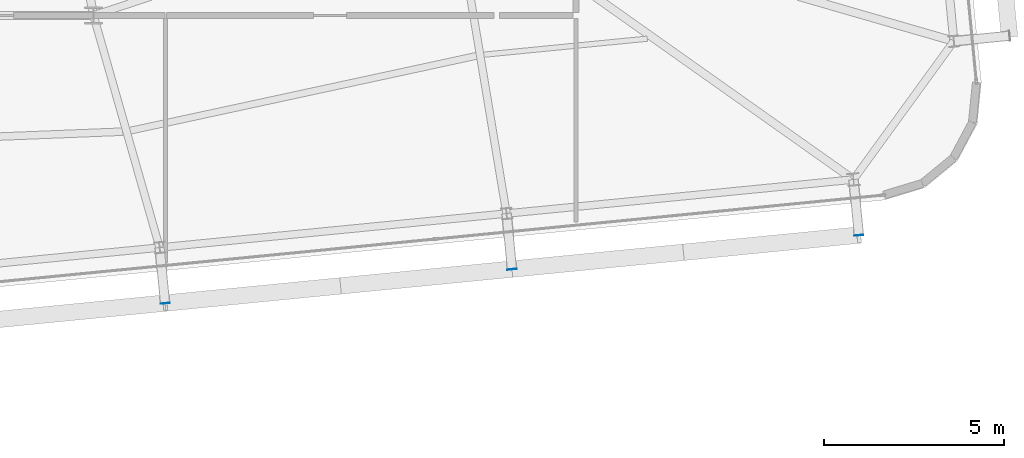
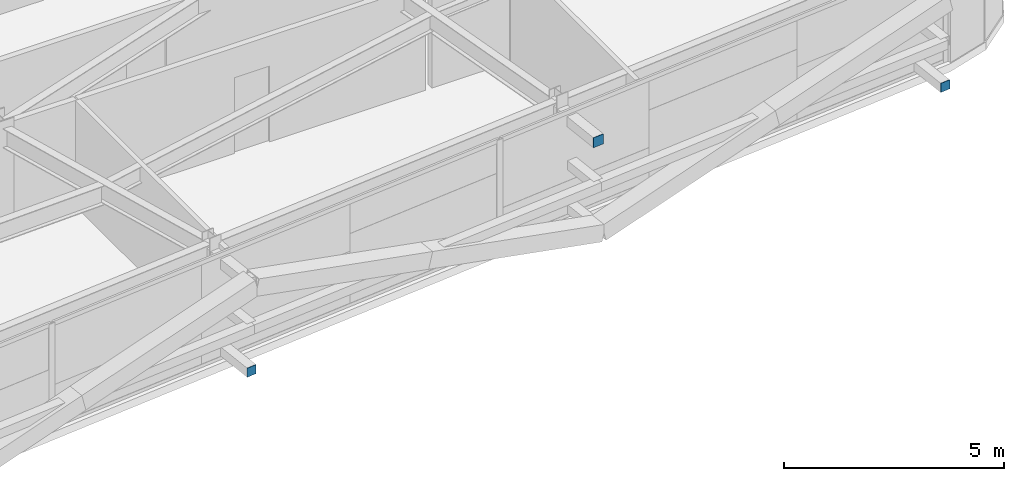
# One storey, part 36 of 47: 3 plates.
"""IFC4 building model written with IfcOpenShell, lengths in metres."""

from ifc_helpers import new_model, si_unit, direction, frame, origin, origin_2d, place, context, subcontext, project, spatial, rectangle, extrude, source, transform, mapped, material, layer, layer_set, type_object, element, save


model = new_model("IFC4")

# Units and contexts
model_context = context("Model", 3, precision=1e-05, world=origin(), true_north=direction((0.0, 1.0)))
body_context = subcontext(model_context, "Body", "Model", "MODEL_VIEW")
ifc_project = project(units=[si_unit("LENGTHUNIT", "METRE"), si_unit("AREAUNIT", "SQUARE_METRE"), si_unit("VOLUMEUNIT", "CUBIC_METRE"), si_unit("PLANEANGLEUNIT", "RADIAN"), si_unit("MASSUNIT", "GRAM", prefix="KILO")], contexts=[model_context])

# Site, building, storey
site_placement = place(None, origin())
site = spatial("IfcSite", under=ifc_project, at=site_placement, CompositionType="ELEMENT")
building_placement = place(site_placement, origin())
building = spatial("IfcBuilding", under=site, at=building_placement, Name="Taldren Reach Tower", CompositionType="ELEMENT")
storey_placement = place(building_placement, frame((0.0, 0.0, 87.14990234375)))
storey = spatial("IfcBuildingStorey", under=building, at=storey_placement, Name="L26", CompositionType="ELEMENT", Elevation=87.14990234375)

# Plates
ifc_material_1 = material(Name="Steel Gr 450 (C450L0)", Category="steel")
ifc_layer_1 = layer(ifc_material_1, 0.011962890625)
ifc_layer_set_1 = layer_set([ifc_layer_1], Name="Steel Gr 450 (C450L0)")
plate_type_1 = type_object("IfcPlateType", Name="PL-CAP-275", PredefinedType="SHEET", material=ifc_layer_set_1)
shared_shape_1 = source(origin(), body_context, "Body", "SweptSolid", [
    extrude(rectangle(XDim=0.27490234375, YDim=0.011962890625, at=origin_2d()), origin(), (0.0, 0.0, 1.0), 0.27490234375),
])
plate_placement = place(storey_placement, frame((53.62109375, 2.14990234375, 2.5126953125), z_axis=(0.0, 0.0, 1.0), x_axis=(0.995227399982, 0.097582899759, 0.0)))
element("IfcPlate", 1, at=plate_placement, inside=storey, type_object=plate_type_1, Name="Tie strut end cap plate B2-S5 L26", PredefinedType="SHEET", context=body_context, shape_type="MappedRepresentation", body=[
    mapped(shared_shape_1, transform((0.0, 0.0, 0.0), scale=1.0)),
])
ifc_material_2 = material(Name="Steel Gr 350 (C350L0)", Category="steel")
ifc_layer_2 = layer(ifc_material_2, 0.011962890625)
ifc_layer_set_2 = layer_set([ifc_layer_2], Name="Steel Gr 350 (C350L0)")
plate_type_2 = type_object("IfcPlateType", Name="PL-CAP-250", PredefinedType="SHEET", material=ifc_layer_set_2)
shared_shape_2 = source(origin(), body_context, "Body", "SweptSolid", [
    extrude(rectangle(XDim=0.25, YDim=0.011962890625, at=origin_2d()), origin(), (0.0, 0.0, 1.0), 0.25),
])
for number, where, z_axis, x_axis, name in (
    (2, (43.9873046875, 1.205322265625, 0.09521484375), (0.0, 0.0, 1.0), (0.995227399982, 0.097582899759, 0.0), "Tie strut end cap plate B2-S4 L26"),
    (3, (63.255126953125, 3.094482421875, 0.09521484375), (0.0, 0.0, 1.0), (0.995227399982, 0.097582899759, 0.0), "Tie strut end cap plate B2-S6 L26"),
):
    element("IfcPlate", number, at=place(storey_placement, frame(where, z_axis=z_axis, x_axis=x_axis)), inside=storey, type_object=plate_type_2, Name=name, PredefinedType="SHEET", context=body_context, shape_type="MappedRepresentation", body=[
        mapped(shared_shape_2, transform((0.0, 0.0, 0.0), scale=1.0)),
    ])

save(model, "model.ifc")
